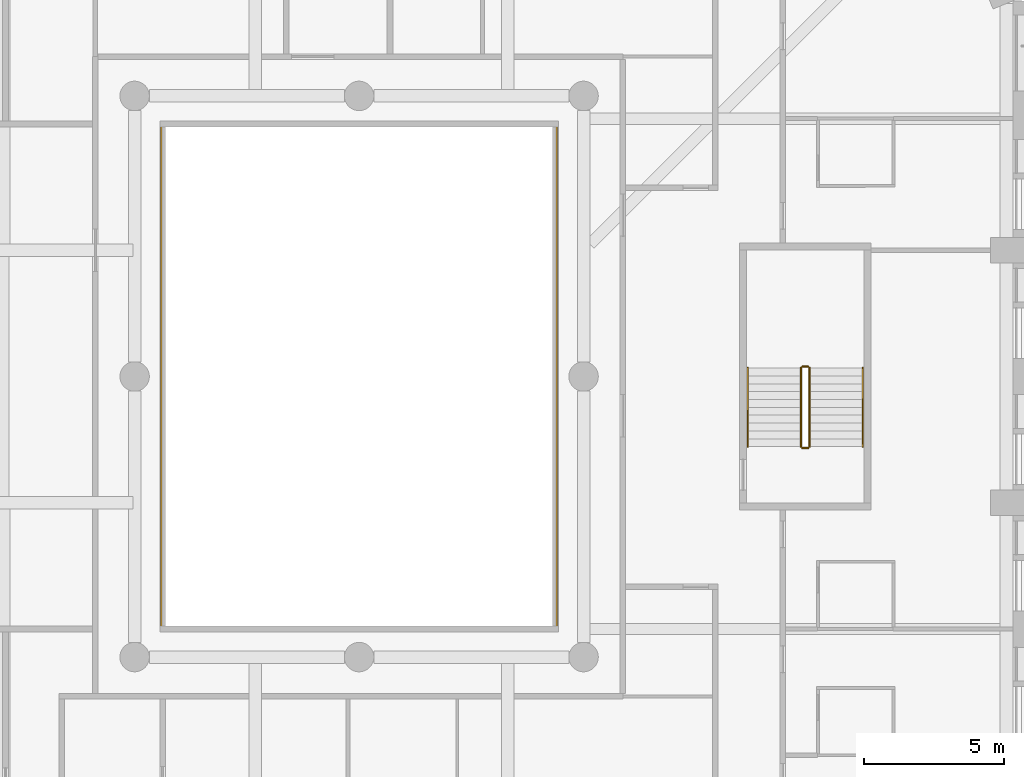
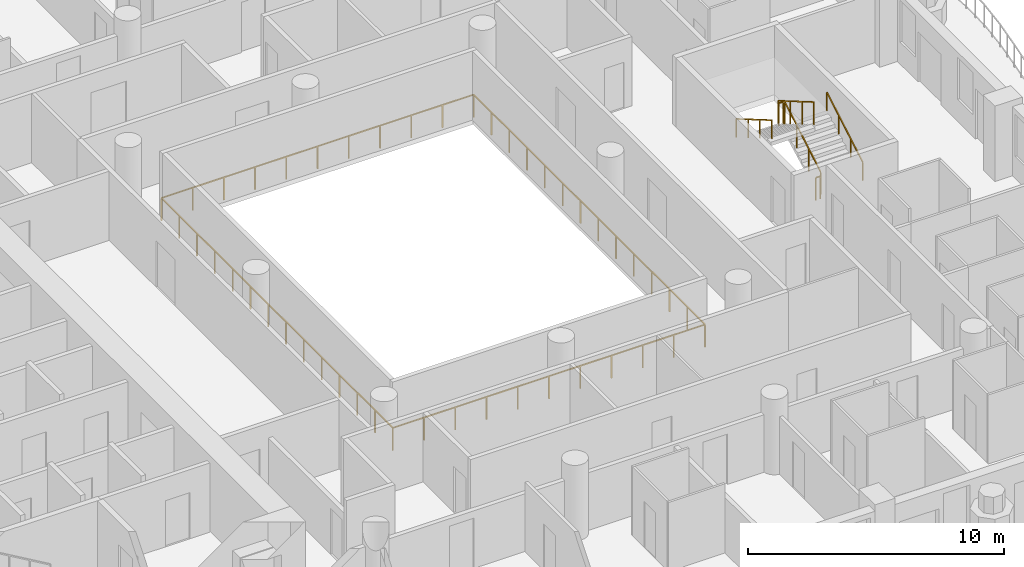
# One storey, part 15 of 20: 7 railings.
"""IFC4 building model written with IfcOpenShell, lengths in metres."""

from ifc_helpers import new_model, si_unit, direction, frame, origin, origin_2d, place, context, subcontext, project, spatial, rectangle, extrude, material, type_object, element, save


model = new_model("IFC4")

# Units and contexts
model_context = context("Model", 3, precision=1e-05, world=origin(), true_north=direction((0.0, 1.0)))
body_context = subcontext(model_context, "Body", "Model", "MODEL_VIEW")
ifc_project = project(units=[si_unit("LENGTHUNIT", "METRE"), si_unit("AREAUNIT", "SQUARE_METRE"), si_unit("VOLUMEUNIT", "CUBIC_METRE"), si_unit("PLANEANGLEUNIT", "RADIAN"), si_unit("MASSUNIT", "GRAM", prefix="KILO")], contexts=[model_context])

# Site, building, storey
site_placement = place(None, origin())
site = spatial("IfcSite", under=ifc_project, at=site_placement, CompositionType="ELEMENT")
building_placement = place(site_placement, origin())
building = spatial("IfcBuilding", under=site, at=building_placement, Name="Cypress Arch Tower", CompositionType="ELEMENT")
storey_placement = place(building_placement, frame((0.0, 0.0, 134.699951171875)))
storey = spatial("IfcBuildingStorey", under=building, at=storey_placement, Name="L29", CompositionType="ELEMENT", Elevation=134.699951171875)

# Railings
ifc_material_1 = material(Name="Stainless steel posts and handrail, laminated glass infill", Category="steel")
railing_type_1 = type_object("IfcRailingType", Name="Atrium guard GR1100A", PredefinedType="GUARDRAIL", material=ifc_material_1)
railing_1_placement = place(storey_placement, frame((8.050048828125, -9.050048828125, 0.0)))
element("IfcRailing", 1, at=railing_1_placement, inside=storey, type_object=railing_type_1, Name="Atrium guard L29", PredefinedType="GUARDRAIL", context=body_context, shape_type="SweptSolid", body=[
    extrude(rectangle(XDim=0.050048828125, YDim=0.050048828125, at=origin_2d()), frame((0.0, 0.0, 1.0751953125), z_axis=(-1.0, 0.0, 0.0), x_axis=(0.0, -1.0, 0.0)), (0.0, 0.0, 1.0), 14.10009765625),
    extrude(rectangle(XDim=0.050048828125, YDim=0.050048828125, at=origin_2d()), frame((-14.10009765625, 0.0, 1.0751953125), z_axis=(0.0, 1.0, 0.0), x_axis=(-1.0, 0.0, 0.0)), (0.0, 0.0, 1.0), 18.10009765625),
    extrude(rectangle(XDim=0.050048828125, YDim=0.050048828125, at=origin_2d()), frame((-14.10009765625, 18.10009765625, 1.0751953125), z_axis=(1.0, 0.0, 0.0), x_axis=(0.0, 1.0, 0.0)), (0.0, 0.0, 1.0), 14.10009765625),
    extrude(rectangle(XDim=0.050048828125, YDim=0.050048828125, at=origin_2d()), frame((0.0, 18.10009765625, 1.0751953125), z_axis=(0.0, -1.0, 0.0), x_axis=(1.0, 0.0, 0.0)), (0.0, 0.0, 1.0), 18.10009765625),
    extrude(rectangle(XDim=0.050048828125, YDim=0.050048828125, at=origin_2d()), origin(), (0.0, 0.0, 1.0), 1.050048828125),
    extrude(rectangle(XDim=0.050048828125, YDim=0.050048828125, at=origin_2d()), frame((-1.409912109375, 0.0, 0.0)), (0.0, 0.0, 1.0), 1.050048828125),
    extrude(rectangle(XDim=0.050048828125, YDim=0.050048828125, at=origin_2d()), frame((-2.820068359375, 0.0, 0.0)), (0.0, 0.0, 1.0), 1.050048828125),
    extrude(rectangle(XDim=0.050048828125, YDim=0.050048828125, at=origin_2d()), frame((-4.22998046875, 0.0, 0.0)), (0.0, 0.0, 1.0), 1.050048828125),
    extrude(rectangle(XDim=0.050048828125, YDim=0.050048828125, at=origin_2d()), frame((-5.64013671875, 0.0, 0.0)), (0.0, 0.0, 1.0), 1.050048828125),
    extrude(rectangle(XDim=0.050048828125, YDim=0.050048828125, at=origin_2d()), frame((-7.050048828125, 0.0, 0.0)), (0.0, 0.0, 1.0), 1.050048828125),
    extrude(rectangle(XDim=0.050048828125, YDim=0.050048828125, at=origin_2d()), frame((-8.4599609375, 0.0, 0.0)), (0.0, 0.0, 1.0), 1.050048828125),
    extrude(rectangle(XDim=0.050048828125, YDim=0.050048828125, at=origin_2d()), frame((-9.8701171875, 0.0, 0.0)), (0.0, 0.0, 1.0), 1.050048828125),
    extrude(rectangle(XDim=0.050048828125, YDim=0.050048828125, at=origin_2d()), frame((-11.280029296875, 0.0, 0.0)), (0.0, 0.0, 1.0), 1.050048828125),
    extrude(rectangle(XDim=0.050048828125, YDim=0.050048828125, at=origin_2d()), frame((-12.690185546875, 0.0, 0.0)), (0.0, 0.0, 1.0), 1.050048828125),
    extrude(rectangle(XDim=0.050048828125, YDim=0.050048828125, at=origin_2d()), frame((-14.10009765625, 0.0, 0.0)), (0.0, 0.0, 1.0), 1.050048828125),
    extrude(rectangle(XDim=0.050048828125, YDim=0.050048828125, at=origin_2d()), frame((-14.10009765625, 1.392333984375, 0.0)), (0.0, 0.0, 1.0), 1.050048828125),
    extrude(rectangle(XDim=0.050048828125, YDim=0.050048828125, at=origin_2d()), frame((-14.10009765625, 2.78466796875, 0.0)), (0.0, 0.0, 1.0), 1.050048828125),
    extrude(rectangle(XDim=0.050048828125, YDim=0.050048828125, at=origin_2d()), frame((-14.10009765625, 4.177001953125, 0.0)), (0.0, 0.0, 1.0), 1.050048828125),
    extrude(rectangle(XDim=0.050048828125, YDim=0.050048828125, at=origin_2d()), frame((-14.10009765625, 5.5693359375, 0.0)), (0.0, 0.0, 1.0), 1.050048828125),
    extrude(rectangle(XDim=0.050048828125, YDim=0.050048828125, at=origin_2d()), frame((-14.10009765625, 6.961669921875, 0.0)), (0.0, 0.0, 1.0), 1.050048828125),
    extrude(rectangle(XDim=0.050048828125, YDim=0.050048828125, at=origin_2d()), frame((-14.10009765625, 8.35400390625, 0.0)), (0.0, 0.0, 1.0), 1.050048828125),
    extrude(rectangle(XDim=0.050048828125, YDim=0.050048828125, at=origin_2d()), frame((-14.10009765625, 9.74609375, 0.0)), (0.0, 0.0, 1.0), 1.050048828125),
    extrude(rectangle(XDim=0.050048828125, YDim=0.050048828125, at=origin_2d()), frame((-14.10009765625, 11.138427734375, 0.0)), (0.0, 0.0, 1.0), 1.050048828125),
    extrude(rectangle(XDim=0.050048828125, YDim=0.050048828125, at=origin_2d()), frame((-14.10009765625, 12.53076171875, 0.0)), (0.0, 0.0, 1.0), 1.050048828125),
    extrude(rectangle(XDim=0.050048828125, YDim=0.050048828125, at=origin_2d()), frame((-14.10009765625, 13.923095703125, 0.0)), (0.0, 0.0, 1.0), 1.050048828125),
    extrude(rectangle(XDim=0.050048828125, YDim=0.050048828125, at=origin_2d()), frame((-14.10009765625, 15.3154296875, 0.0)), (0.0, 0.0, 1.0), 1.050048828125),
    extrude(rectangle(XDim=0.050048828125, YDim=0.050048828125, at=origin_2d()), frame((-14.10009765625, 16.707763671875, 0.0)), (0.0, 0.0, 1.0), 1.050048828125),
    extrude(rectangle(XDim=0.050048828125, YDim=0.050048828125, at=origin_2d()), frame((-14.10009765625, 18.10009765625, 0.0)), (0.0, 0.0, 1.0), 1.050048828125),
    extrude(rectangle(XDim=0.050048828125, YDim=0.050048828125, at=origin_2d()), frame((-12.690185546875, 18.10009765625, 0.0)), (0.0, 0.0, 1.0), 1.050048828125),
    extrude(rectangle(XDim=0.050048828125, YDim=0.050048828125, at=origin_2d()), frame((-11.280029296875, 18.10009765625, 0.0)), (0.0, 0.0, 1.0), 1.050048828125),
    extrude(rectangle(XDim=0.050048828125, YDim=0.050048828125, at=origin_2d()), frame((-9.8701171875, 18.10009765625, 0.0)), (0.0, 0.0, 1.0), 1.050048828125),
    extrude(rectangle(XDim=0.050048828125, YDim=0.050048828125, at=origin_2d()), frame((-8.4599609375, 18.10009765625, 0.0)), (0.0, 0.0, 1.0), 1.050048828125),
    extrude(rectangle(XDim=0.050048828125, YDim=0.050048828125, at=origin_2d()), frame((-7.050048828125, 18.10009765625, 0.0)), (0.0, 0.0, 1.0), 1.050048828125),
    extrude(rectangle(XDim=0.050048828125, YDim=0.050048828125, at=origin_2d()), frame((-5.64013671875, 18.10009765625, 0.0)), (0.0, 0.0, 1.0), 1.050048828125),
    extrude(rectangle(XDim=0.050048828125, YDim=0.050048828125, at=origin_2d()), frame((-4.22998046875, 18.10009765625, 0.0)), (0.0, 0.0, 1.0), 1.050048828125),
    extrude(rectangle(XDim=0.050048828125, YDim=0.050048828125, at=origin_2d()), frame((-2.820068359375, 18.10009765625, 0.0)), (0.0, 0.0, 1.0), 1.050048828125),
    extrude(rectangle(XDim=0.050048828125, YDim=0.050048828125, at=origin_2d()), frame((-1.409912109375, 18.10009765625, 0.0)), (0.0, 0.0, 1.0), 1.050048828125),
    extrude(rectangle(XDim=0.050048828125, YDim=0.050048828125, at=origin_2d()), frame((0.0, 18.10009765625, 0.0)), (0.0, 0.0, 1.0), 1.050048828125),
    extrude(rectangle(XDim=0.050048828125, YDim=0.050048828125, at=origin_2d()), frame((0.0, 16.707763671875, 0.0)), (0.0, 0.0, 1.0), 1.050048828125),
    extrude(rectangle(XDim=0.050048828125, YDim=0.050048828125, at=origin_2d()), frame((0.0, 15.3154296875, 0.0)), (0.0, 0.0, 1.0), 1.050048828125),
    extrude(rectangle(XDim=0.050048828125, YDim=0.050048828125, at=origin_2d()), frame((0.0, 13.923095703125, 0.0)), (0.0, 0.0, 1.0), 1.050048828125),
    extrude(rectangle(XDim=0.050048828125, YDim=0.050048828125, at=origin_2d()), frame((0.0, 12.53076171875, 0.0)), (0.0, 0.0, 1.0), 1.050048828125),
    extrude(rectangle(XDim=0.050048828125, YDim=0.050048828125, at=origin_2d()), frame((0.0, 11.138427734375, 0.0)), (0.0, 0.0, 1.0), 1.050048828125),
    extrude(rectangle(XDim=0.050048828125, YDim=0.050048828125, at=origin_2d()), frame((0.0, 9.74609375, 0.0)), (0.0, 0.0, 1.0), 1.050048828125),
    extrude(rectangle(XDim=0.050048828125, YDim=0.050048828125, at=origin_2d()), frame((0.0, 8.35400390625, 0.0)), (0.0, 0.0, 1.0), 1.050048828125),
    extrude(rectangle(XDim=0.050048828125, YDim=0.050048828125, at=origin_2d()), frame((0.0, 6.961669921875, 0.0)), (0.0, 0.0, 1.0), 1.050048828125),
    extrude(rectangle(XDim=0.050048828125, YDim=0.050048828125, at=origin_2d()), frame((0.0, 5.5693359375, 0.0)), (0.0, 0.0, 1.0), 1.050048828125),
    extrude(rectangle(XDim=0.050048828125, YDim=0.050048828125, at=origin_2d()), frame((0.0, 4.177001953125, 0.0)), (0.0, 0.0, 1.0), 1.050048828125),
    extrude(rectangle(XDim=0.050048828125, YDim=0.050048828125, at=origin_2d()), frame((0.0, 2.78466796875, 0.0)), (0.0, 0.0, 1.0), 1.050048828125),
    extrude(rectangle(XDim=0.050048828125, YDim=0.050048828125, at=origin_2d()), frame((0.0, 1.392333984375, 0.0)), (0.0, 0.0, 1.0), 1.050048828125),
])
ifc_material_2 = material(Name="Black powder-coated steel square bar 48 mm", Category="steel")
railing_type_2 = type_object("IfcRailingType", Name="Stair handrail HR1", PredefinedType="HANDRAIL", material=ifc_material_2)
railing_2_placement = place(storey_placement, frame((18.949951171875, -2.5, 0.16357421875)))
element("IfcRailing", 2, at=railing_2_placement, inside=storey, type_object=railing_type_2, Name="L29 C stair handrail 1", PredefinedType="HANDRAIL", context=body_context, shape_type="SweptSolid", body=[
    extrude(rectangle(XDim=0.048095703125, YDim=0.048095703125, at=origin_2d()), frame((0.0, 0.0, 0.8759765625), z_axis=(0.0, 0.863360870873, 0.504586966384), x_axis=(-1.0, 0.0, 0.0)), (0.0, 0.0, 1.0), 3.2431640625),
    extrude(rectangle(XDim=0.0419921875, YDim=0.0419921875, at=origin_2d()), origin(), (0.0, 0.0, 1.0), 0.851806640625),
    extrude(rectangle(XDim=0.0419921875, YDim=0.0419921875, at=origin_2d()), frame((0.0, 0.933349609375, 0.54541015625)), (0.0, 0.0, 1.0), 0.851806640625),
    extrude(rectangle(XDim=0.0419921875, YDim=0.0419921875, at=origin_2d()), frame((0.0, 1.86669921875, 1.091064453125)), (0.0, 0.0, 1.0), 0.851806640625),
    extrude(rectangle(XDim=0.0419921875, YDim=0.0419921875, at=origin_2d()), frame((0.0, 2.800048828125, 1.636474609375)), (0.0, 0.0, 1.0), 0.851806640625),
])
railing_3_placement = place(storey_placement, frame((14.85009765625, 0.300048828125, 1.963623046875)))
element("IfcRailing", 3, at=railing_3_placement, inside=storey, type_object=railing_type_2, Name="L29 C stair handrail 2", PredefinedType="HANDRAIL", context=body_context, shape_type="SweptSolid", body=[
    extrude(rectangle(XDim=0.048095703125, YDim=0.048095703125, at=origin_2d()), frame((0.0, 0.0, 0.8759765625), z_axis=(0.0, -0.863360870873, 0.504586966384), x_axis=(1.0, 0.0, 0.0)), (0.0, 0.0, 1.0), 3.2431640625),
    extrude(rectangle(XDim=0.0419921875, YDim=0.0419921875, at=origin_2d()), origin(), (0.0, 0.0, 1.0), 0.851806640625),
    extrude(rectangle(XDim=0.0419921875, YDim=0.0419921875, at=origin_2d()), frame((0.0, -0.933349609375, 0.54541015625)), (0.0, 0.0, 1.0), 0.851806640625),
    extrude(rectangle(XDim=0.0419921875, YDim=0.0419921875, at=origin_2d()), frame((0.0, -1.86669921875, 1.091064453125)), (0.0, 0.0, 1.0), 0.851806640625),
    extrude(rectangle(XDim=0.0419921875, YDim=0.0419921875, at=origin_2d()), frame((0.0, -2.800048828125, 1.636474609375)), (0.0, 0.0, 1.0), 0.851806640625),
])
ifc_material_3 = material(Name="Black powder-coated steel balusters", Category="steel")
railing_type_3 = type_object("IfcRailingType", Name="Stair well guard G1", PredefinedType="GUARDRAIL", material=ifc_material_3)
railing_4_placement = place(storey_placement, frame((17.050048828125, -2.5, 0.16357421875)))
element("IfcRailing", 4, at=railing_4_placement, inside=storey, type_object=railing_type_3, Name="L29 C stair guard 1", PredefinedType="GUARDRAIL", context=body_context, shape_type="SweptSolid", body=[
    extrude(rectangle(XDim=0.048095703125, YDim=0.048095703125, at=origin_2d()), frame((0.0, 0.0, 1.076171875), z_axis=(0.0, 0.863360870873, 0.504586966384), x_axis=(-1.0, 0.0, 0.0)), (0.0, 0.0, 1.0), 3.2431640625),
    extrude(rectangle(XDim=0.0419921875, YDim=0.0419921875, at=origin_2d()), origin(), (0.0, 0.0, 1.0), 1.052001953125),
    extrude(rectangle(XDim=0.0419921875, YDim=0.0419921875, at=origin_2d()), frame((0.0, 0.933349609375, 0.54541015625)), (0.0, 0.0, 1.0), 1.052001953125),
    extrude(rectangle(XDim=0.0419921875, YDim=0.0419921875, at=origin_2d()), frame((0.0, 1.86669921875, 1.091064453125)), (0.0, 0.0, 1.0), 1.052001953125),
    extrude(rectangle(XDim=0.0419921875, YDim=0.0419921875, at=origin_2d()), frame((0.0, 2.800048828125, 1.636474609375)), (0.0, 0.0, 1.0), 1.052001953125),
])
railing_5_placement = place(storey_placement, frame((17.0, 0.35009765625, 1.800048828125)))
element("IfcRailing", 5, at=railing_5_placement, inside=storey, type_object=railing_type_3, Name="L29 C stair guard 2", PredefinedType="GUARDRAIL", context=body_context, shape_type="SweptSolid", body=[
    extrude(rectangle(XDim=0.048095703125, YDim=0.048095703125, at=origin_2d()), frame((0.0, 0.0, 1.076171875), z_axis=(-1.0, 0.0, 0.0), x_axis=(0.0, -1.0, 0.0)), (0.0, 0.0, 1.0), 0.199951171875),
    extrude(rectangle(XDim=0.0419921875, YDim=0.0419921875, at=origin_2d()), origin(), (0.0, 0.0, 1.0), 1.052001953125),
    extrude(rectangle(XDim=0.0419921875, YDim=0.0419921875, at=origin_2d()), frame((-0.199951171875, 0.0, 0.0)), (0.0, 0.0, 1.0), 1.052001953125),
])
railing_6_placement = place(storey_placement, frame((16.75, 0.300048828125, 1.963623046875)))
element("IfcRailing", 6, at=railing_6_placement, inside=storey, type_object=railing_type_3, Name="L29 C stair guard 3", PredefinedType="GUARDRAIL", context=body_context, shape_type="SweptSolid", body=[
    extrude(rectangle(XDim=0.048095703125, YDim=0.048095703125, at=origin_2d()), frame((0.0, 0.0, 1.076171875), z_axis=(0.0, -0.863360870873, 0.504586966384), x_axis=(1.0, 0.0, 0.0)), (0.0, 0.0, 1.0), 3.2431640625),
    extrude(rectangle(XDim=0.0419921875, YDim=0.0419921875, at=origin_2d()), origin(), (0.0, 0.0, 1.0), 1.052001953125),
    extrude(rectangle(XDim=0.0419921875, YDim=0.0419921875, at=origin_2d()), frame((0.0, -0.933349609375, 0.54541015625)), (0.0, 0.0, 1.0), 1.052001953125),
    extrude(rectangle(XDim=0.0419921875, YDim=0.0419921875, at=origin_2d()), frame((0.0, -1.86669921875, 1.091064453125)), (0.0, 0.0, 1.0), 1.052001953125),
    extrude(rectangle(XDim=0.0419921875, YDim=0.0419921875, at=origin_2d()), frame((0.0, -2.800048828125, 1.636474609375)), (0.0, 0.0, 1.0), 1.052001953125),
])
railing_7_placement = place(storey_placement, frame((17.0, -2.550048828125, 0.0)))
element("IfcRailing", 7, at=railing_7_placement, inside=storey, type_object=railing_type_3, Name="L29 C stair guard 4", PredefinedType="GUARDRAIL", context=body_context, shape_type="SweptSolid", body=[
    extrude(rectangle(XDim=0.048095703125, YDim=0.048095703125, at=origin_2d()), frame((0.0, 0.0, 1.076171875), z_axis=(-1.0, 0.0, 0.0), x_axis=(0.0, -1.0, 0.0)), (0.0, 0.0, 1.0), 0.199951171875),
    extrude(rectangle(XDim=0.0419921875, YDim=0.0419921875, at=origin_2d()), origin(), (0.0, 0.0, 1.0), 1.052001953125),
    extrude(rectangle(XDim=0.0419921875, YDim=0.0419921875, at=origin_2d()), frame((-0.199951171875, 0.0, 0.0)), (0.0, 0.0, 1.0), 1.052001953125),
])

save(model, "model.ifc")
